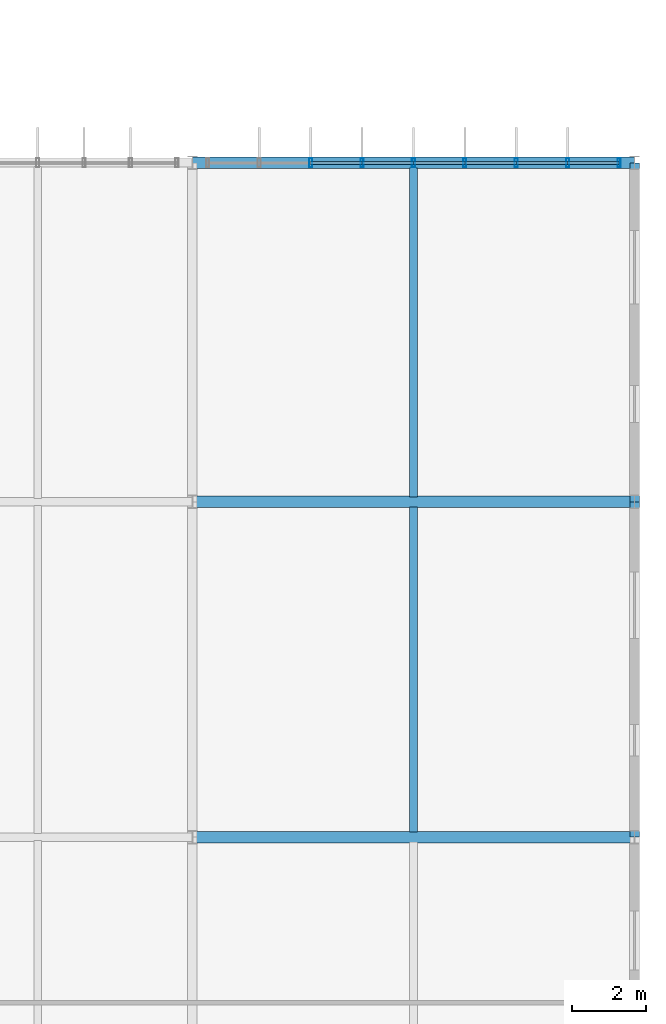
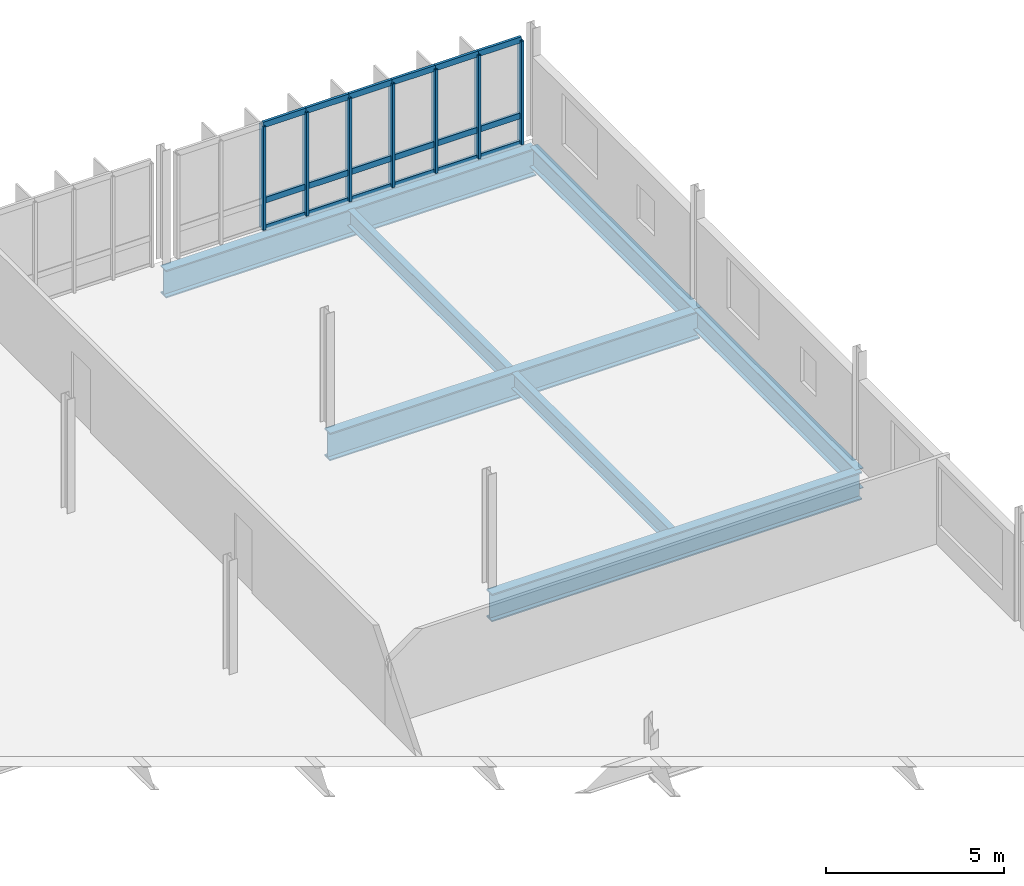
# One storey, part 38 of 61: 25 members, 7 beams, 1 element without a shape of its own.
"""IFC4 building model written with IfcOpenShell, lengths in metres."""

from ifc_helpers import new_model, si_unit, derived_unit, direction, frame, origin, origin_2d, place, context, subcontext, project, spatial, hollow_rectangle, i_section, extrude, material, layer, layer_set, material_profile, profile_set, type_object, element, aggregate, save


model = new_model("IFC4")

# Units and contexts
model_context = context("Model", 3, precision=1e-05, world=origin(), true_north=direction((0.0, 1.0)))
body_context = subcontext(model_context, "Body", "Model", "MODEL_VIEW")
ifc_project = project(units=[si_unit("LENGTHUNIT", "METRE"), si_unit("AREAUNIT", "SQUARE_METRE"), si_unit("VOLUMEUNIT", "CUBIC_METRE"), si_unit("PLANEANGLEUNIT", "RADIAN"), si_unit("MASSUNIT", "GRAM", prefix="KILO"), derived_unit("THERMALTRANSMITTANCEUNIT", [(si_unit("MASSUNIT", "GRAM", prefix="KILO"), 1), (si_unit("TIMEUNIT", "SECOND"), -3), (si_unit("THERMODYNAMICTEMPERATUREUNIT", "KELVIN"), -1)])], contexts=[model_context])

# Site, building, storey
site_placement = place(None, origin())
site = spatial("IfcSite", under=ifc_project, at=site_placement, CompositionType="ELEMENT")
building_placement = place(site_placement, origin())
building = spatial("IfcBuilding", under=site, at=building_placement, Name="Makaiwela Harbour Ferry Terminal", CompositionType="ELEMENT")
storey_placement = place(building_placement, frame((0.0, 0.0, 13.800048828125)))
storey = spatial("IfcBuildingStorey", under=building, at=storey_placement, Name="L03", CompositionType="ELEMENT", Elevation=13.800048828125)

# Curtain wall, members
ifc_material_1 = material(Name="Marine anodised aluminium 6063-T6", Category="aluminium")
ifc_layer = layer(ifc_material_1, 0.199951171875)
ifc_layer_set = layer_set([ifc_layer], Name="Marine anodised aluminium 6063-T6")
curtain_wall_type = type_object("IfcCurtainWallType", Name="ENV-CW-19", PredefinedType="USERDEFINED", material=ifc_layer_set)
curtain_wall_placement = place(storey_placement, origin())
curtain_wall = element("IfcCurtainWall", 1, at=curtain_wall_placement, inside=storey, type_object=curtain_wall_type, Name="Unitised Curtain Wall CWA-131", ObjectType="UNITIZED CURTAIN WALL", PredefinedType="USERDEFINED")
ifc_material_profile_1 = material_profile(ifc_material_1, hollow_rectangle(XDim=0.0849609375, YDim=0.25, WallThickness=0.0048828125, at=origin_2d()), Name="CWM-250X85")
ifc_profile_set_1 = profile_set([ifc_material_profile_1], Name="Marine anodised aluminium 6063-T6")
member_type_1 = type_object("IfcMemberType", Name="CW-MUL-250", PredefinedType="MULLION", material=ifc_profile_set_1)
member_1_placement = place(storey_placement, frame((158.610107421875, 95.0, 0.0), z_axis=(0.0, 0.0, 1.0), x_axis=(1.0, 0.0, 0.0)))
member_1 = element("IfcMember", 2, at=member_1_placement, type_object=member_type_1, Name="Curtain Wall Mullion CWA-131-3", PredefinedType="MULLION", context=body_context, shape_type="SweptSolid", body=[
    extrude(hollow_rectangle(XDim=0.0849609375, YDim=0.25, WallThickness=0.0048828125, at=origin_2d()), origin(), (0.0, 0.0, 1.0), 3.550048828125),
])
member_2_placement = place(storey_placement, frame((160.0048828125, 95.0, 0.0), z_axis=(0.0, 0.0, 1.0), x_axis=(1.0, 0.0, 0.0)))
member_2 = element("IfcMember", 3, at=member_2_placement, type_object=member_type_1, Name="Curtain Wall Mullion CWA-131-4", PredefinedType="MULLION", context=body_context, shape_type="SweptSolid", body=[
    extrude(hollow_rectangle(XDim=0.0849609375, YDim=0.25, WallThickness=0.0048828125, at=origin_2d()), origin(), (0.0, 0.0, 1.0), 3.550048828125),
])
member_3_placement = place(storey_placement, frame((161.39990234375, 95.0, 0.0), z_axis=(0.0, 0.0, 1.0), x_axis=(1.0, 0.0, 0.0)))
member_3 = element("IfcMember", 4, at=member_3_placement, type_object=member_type_1, Name="Curtain Wall Mullion CWA-131-5", PredefinedType="MULLION", context=body_context, shape_type="SweptSolid", body=[
    extrude(hollow_rectangle(XDim=0.0849609375, YDim=0.25, WallThickness=0.0048828125, at=origin_2d()), origin(), (0.0, 0.0, 1.0), 3.550048828125),
])
member_4_placement = place(storey_placement, frame((162.794921875, 95.0, 0.0), z_axis=(0.0, 0.0, 1.0), x_axis=(1.0, 0.0, 0.0)))
member_4 = element("IfcMember", 5, at=member_4_placement, type_object=member_type_1, Name="Curtain Wall Mullion CWA-131-6", PredefinedType="MULLION", context=body_context, shape_type="SweptSolid", body=[
    extrude(hollow_rectangle(XDim=0.0849609375, YDim=0.25, WallThickness=0.0048828125, at=origin_2d()), origin(), (0.0, 0.0, 1.0), 3.550048828125),
])
member_5_placement = place(storey_placement, frame((164.18994140625, 95.0, 0.0), z_axis=(0.0, 0.0, 1.0), x_axis=(1.0, 0.0, 0.0)))
member_5 = element("IfcMember", 6, at=member_5_placement, type_object=member_type_1, Name="Curtain Wall Mullion CWA-131-7", PredefinedType="MULLION", context=body_context, shape_type="SweptSolid", body=[
    extrude(hollow_rectangle(XDim=0.0849609375, YDim=0.25, WallThickness=0.0048828125, at=origin_2d()), origin(), (0.0, 0.0, 1.0), 3.550048828125),
])
member_6_placement = place(storey_placement, frame((165.5849609375, 95.0, 0.0), z_axis=(0.0, 0.0, 1.0), x_axis=(1.0, 0.0, 0.0)))
member_6 = element("IfcMember", 7, at=member_6_placement, type_object=member_type_1, Name="Curtain Wall Mullion CWA-131-8", PredefinedType="MULLION", context=body_context, shape_type="SweptSolid", body=[
    extrude(hollow_rectangle(XDim=0.0849609375, YDim=0.25, WallThickness=0.0048828125, at=origin_2d()), origin(), (0.0, 0.0, 1.0), 3.550048828125),
])
member_7_placement = place(storey_placement, frame((166.97998046875, 95.0, 0.0), z_axis=(0.0, 0.0, 1.0), x_axis=(1.0, 0.0, 0.0)))
member_7 = element("IfcMember", 8, at=member_7_placement, type_object=member_type_1, Name="Curtain Wall Mullion CWA-131-9", PredefinedType="MULLION", context=body_context, shape_type="SweptSolid", body=[
    extrude(hollow_rectangle(XDim=0.0849609375, YDim=0.25, WallThickness=0.0048828125, at=origin_2d()), origin(), (0.0, 0.0, 1.0), 3.550048828125),
])
ifc_material_profile_2 = material_profile(ifc_material_1, hollow_rectangle(XDim=0.0849609375, YDim=0.199951171875, WallThickness=0.0048828125, at=origin_2d()), Name="CWT-200X85")
ifc_profile_set_2 = profile_set([ifc_material_profile_2], Name="Marine anodised aluminium 6063-T6")
member_type_2 = type_object("IfcMemberType", Name="CW-TRN-200", PredefinedType="USERDEFINED", material=ifc_profile_set_2)
member_8_placement = place(storey_placement, frame((158.610107421875, 95.0, 0.0), z_axis=(1.0, 0.0, 0.0), x_axis=(0.0, 1.0, 0.0)))
member_8 = element("IfcMember", 9, at=member_8_placement, type_object=member_type_2, Name="Curtain Wall Transom CWA-131-3-1", ObjectType="TRANSOM", PredefinedType="USERDEFINED", context=body_context, shape_type="SweptSolid", body=[
    extrude(hollow_rectangle(XDim=0.0849609375, YDim=0.199951171875, WallThickness=0.0048828125, at=origin_2d()), origin(), (0.0, 0.0, 1.0), 1.394775390625),
])
member_9_placement = place(storey_placement, frame((158.610107421875, 95.0, 0.949951171875), z_axis=(1.0, 0.0, 0.0), x_axis=(0.0, 1.0, 0.0)))
member_9 = element("IfcMember", 10, at=member_9_placement, type_object=member_type_2, Name="Curtain Wall Transom CWA-131-3-2", ObjectType="TRANSOM", PredefinedType="USERDEFINED", context=body_context, shape_type="SweptSolid", body=[
    extrude(hollow_rectangle(XDim=0.0849609375, YDim=0.199951171875, WallThickness=0.0048828125, at=origin_2d()), origin(), (0.0, 0.0, 1.0), 1.394775390625),
])
member_10_placement = place(storey_placement, frame((158.610107421875, 95.0, 3.550048828125), z_axis=(1.0, 0.0, 0.0), x_axis=(0.0, 1.0, 0.0)))
member_10 = element("IfcMember", 11, at=member_10_placement, type_object=member_type_2, Name="Curtain Wall Transom CWA-131-3-3", ObjectType="TRANSOM", PredefinedType="USERDEFINED", context=body_context, shape_type="SweptSolid", body=[
    extrude(hollow_rectangle(XDim=0.0849609375, YDim=0.199951171875, WallThickness=0.0048828125, at=origin_2d()), origin(), (0.0, 0.0, 1.0), 1.394775390625),
])
member_11_placement = place(storey_placement, frame((160.0048828125, 95.0, 0.0), z_axis=(1.0, 0.0, 0.0), x_axis=(0.0, 1.0, 0.0)))
member_11 = element("IfcMember", 12, at=member_11_placement, type_object=member_type_2, Name="Curtain Wall Transom CWA-131-4-1", ObjectType="TRANSOM", PredefinedType="USERDEFINED", context=body_context, shape_type="SweptSolid", body=[
    extrude(hollow_rectangle(XDim=0.0849609375, YDim=0.199951171875, WallThickness=0.0048828125, at=origin_2d()), origin(), (0.0, 0.0, 1.0), 1.39501953125),
])
member_12_placement = place(storey_placement, frame((160.0048828125, 95.0, 0.949951171875), z_axis=(1.0, 0.0, 0.0), x_axis=(0.0, 1.0, 0.0)))
member_12 = element("IfcMember", 13, at=member_12_placement, type_object=member_type_2, Name="Curtain Wall Transom CWA-131-4-2", ObjectType="TRANSOM", PredefinedType="USERDEFINED", context=body_context, shape_type="SweptSolid", body=[
    extrude(hollow_rectangle(XDim=0.0849609375, YDim=0.199951171875, WallThickness=0.0048828125, at=origin_2d()), origin(), (0.0, 0.0, 1.0), 1.39501953125),
])
member_13_placement = place(storey_placement, frame((160.0048828125, 95.0, 3.550048828125), z_axis=(1.0, 0.0, 0.0), x_axis=(0.0, 1.0, 0.0)))
member_13 = element("IfcMember", 14, at=member_13_placement, type_object=member_type_2, Name="Curtain Wall Transom CWA-131-4-3", ObjectType="TRANSOM", PredefinedType="USERDEFINED", context=body_context, shape_type="SweptSolid", body=[
    extrude(hollow_rectangle(XDim=0.0849609375, YDim=0.199951171875, WallThickness=0.0048828125, at=origin_2d()), origin(), (0.0, 0.0, 1.0), 1.39501953125),
])
member_14_placement = place(storey_placement, frame((161.39990234375, 95.0, 0.0), z_axis=(1.0, 0.0, 0.0), x_axis=(0.0, 1.0, 0.0)))
member_14 = element("IfcMember", 15, at=member_14_placement, type_object=member_type_2, Name="Curtain Wall Transom CWA-131-5-1", ObjectType="TRANSOM", PredefinedType="USERDEFINED", context=body_context, shape_type="SweptSolid", body=[
    extrude(hollow_rectangle(XDim=0.0849609375, YDim=0.199951171875, WallThickness=0.0048828125, at=origin_2d()), origin(), (0.0, 0.0, 1.0), 1.39501953125),
])
member_15_placement = place(storey_placement, frame((161.39990234375, 95.0, 0.949951171875), z_axis=(1.0, 0.0, 0.0), x_axis=(0.0, 1.0, 0.0)))
member_15 = element("IfcMember", 16, at=member_15_placement, type_object=member_type_2, Name="Curtain Wall Transom CWA-131-5-2", ObjectType="TRANSOM", PredefinedType="USERDEFINED", context=body_context, shape_type="SweptSolid", body=[
    extrude(hollow_rectangle(XDim=0.0849609375, YDim=0.199951171875, WallThickness=0.0048828125, at=origin_2d()), origin(), (0.0, 0.0, 1.0), 1.39501953125),
])
member_16_placement = place(storey_placement, frame((161.39990234375, 95.0, 3.550048828125), z_axis=(1.0, 0.0, 0.0), x_axis=(0.0, 1.0, 0.0)))
member_16 = element("IfcMember", 17, at=member_16_placement, type_object=member_type_2, Name="Curtain Wall Transom CWA-131-5-3", ObjectType="TRANSOM", PredefinedType="USERDEFINED", context=body_context, shape_type="SweptSolid", body=[
    extrude(hollow_rectangle(XDim=0.0849609375, YDim=0.199951171875, WallThickness=0.0048828125, at=origin_2d()), origin(), (0.0, 0.0, 1.0), 1.39501953125),
])
member_17_placement = place(storey_placement, frame((162.794921875, 95.0, 0.0), z_axis=(1.0, 0.0, 0.0), x_axis=(0.0, 1.0, 0.0)))
member_17 = element("IfcMember", 18, at=member_17_placement, type_object=member_type_2, Name="Curtain Wall Transom CWA-131-6-1", ObjectType="TRANSOM", PredefinedType="USERDEFINED", context=body_context, shape_type="SweptSolid", body=[
    extrude(hollow_rectangle(XDim=0.0849609375, YDim=0.199951171875, WallThickness=0.0048828125, at=origin_2d()), origin(), (0.0, 0.0, 1.0), 1.39501953125),
])
member_18_placement = place(storey_placement, frame((162.794921875, 95.0, 0.949951171875), z_axis=(1.0, 0.0, 0.0), x_axis=(0.0, 1.0, 0.0)))
member_18 = element("IfcMember", 19, at=member_18_placement, type_object=member_type_2, Name="Curtain Wall Transom CWA-131-6-2", ObjectType="TRANSOM", PredefinedType="USERDEFINED", context=body_context, shape_type="SweptSolid", body=[
    extrude(hollow_rectangle(XDim=0.0849609375, YDim=0.199951171875, WallThickness=0.0048828125, at=origin_2d()), origin(), (0.0, 0.0, 1.0), 1.39501953125),
])
member_19_placement = place(storey_placement, frame((162.794921875, 95.0, 3.550048828125), z_axis=(1.0, 0.0, 0.0), x_axis=(0.0, 1.0, 0.0)))
member_19 = element("IfcMember", 20, at=member_19_placement, type_object=member_type_2, Name="Curtain Wall Transom CWA-131-6-3", ObjectType="TRANSOM", PredefinedType="USERDEFINED", context=body_context, shape_type="SweptSolid", body=[
    extrude(hollow_rectangle(XDim=0.0849609375, YDim=0.199951171875, WallThickness=0.0048828125, at=origin_2d()), origin(), (0.0, 0.0, 1.0), 1.39501953125),
])
member_20_placement = place(storey_placement, frame((164.18994140625, 95.0, 0.0), z_axis=(1.0, 0.0, 0.0), x_axis=(0.0, 1.0, 0.0)))
member_20 = element("IfcMember", 21, at=member_20_placement, type_object=member_type_2, Name="Curtain Wall Transom CWA-131-7-1", ObjectType="TRANSOM", PredefinedType="USERDEFINED", context=body_context, shape_type="SweptSolid", body=[
    extrude(hollow_rectangle(XDim=0.0849609375, YDim=0.199951171875, WallThickness=0.0048828125, at=origin_2d()), origin(), (0.0, 0.0, 1.0), 1.39501953125),
])
member_21_placement = place(storey_placement, frame((164.18994140625, 95.0, 0.949951171875), z_axis=(1.0, 0.0, 0.0), x_axis=(0.0, 1.0, 0.0)))
member_21 = element("IfcMember", 22, at=member_21_placement, type_object=member_type_2, Name="Curtain Wall Transom CWA-131-7-2", ObjectType="TRANSOM", PredefinedType="USERDEFINED", context=body_context, shape_type="SweptSolid", body=[
    extrude(hollow_rectangle(XDim=0.0849609375, YDim=0.199951171875, WallThickness=0.0048828125, at=origin_2d()), origin(), (0.0, 0.0, 1.0), 1.39501953125),
])
member_22_placement = place(storey_placement, frame((164.18994140625, 95.0, 3.550048828125), z_axis=(1.0, 0.0, 0.0), x_axis=(0.0, 1.0, 0.0)))
member_22 = element("IfcMember", 23, at=member_22_placement, type_object=member_type_2, Name="Curtain Wall Transom CWA-131-7-3", ObjectType="TRANSOM", PredefinedType="USERDEFINED", context=body_context, shape_type="SweptSolid", body=[
    extrude(hollow_rectangle(XDim=0.0849609375, YDim=0.199951171875, WallThickness=0.0048828125, at=origin_2d()), origin(), (0.0, 0.0, 1.0), 1.39501953125),
])
member_23_placement = place(storey_placement, frame((165.5849609375, 95.0, 0.0), z_axis=(1.0, 0.0, 0.0), x_axis=(0.0, 1.0, 0.0)))
member_23 = element("IfcMember", 24, at=member_23_placement, type_object=member_type_2, Name="Curtain Wall Transom CWA-131-8-1", ObjectType="TRANSOM", PredefinedType="USERDEFINED", context=body_context, shape_type="SweptSolid", body=[
    extrude(hollow_rectangle(XDim=0.0849609375, YDim=0.199951171875, WallThickness=0.0048828125, at=origin_2d()), origin(), (0.0, 0.0, 1.0), 1.39501953125),
])
member_24_placement = place(storey_placement, frame((165.5849609375, 95.0, 0.949951171875), z_axis=(1.0, 0.0, 0.0), x_axis=(0.0, 1.0, 0.0)))
member_24 = element("IfcMember", 25, at=member_24_placement, type_object=member_type_2, Name="Curtain Wall Transom CWA-131-8-2", ObjectType="TRANSOM", PredefinedType="USERDEFINED", context=body_context, shape_type="SweptSolid", body=[
    extrude(hollow_rectangle(XDim=0.0849609375, YDim=0.199951171875, WallThickness=0.0048828125, at=origin_2d()), origin(), (0.0, 0.0, 1.0), 1.39501953125),
])
member_25_placement = place(storey_placement, frame((165.5849609375, 95.0, 3.550048828125), z_axis=(1.0, 0.0, 0.0), x_axis=(0.0, 1.0, 0.0)))
member_25 = element("IfcMember", 26, at=member_25_placement, type_object=member_type_2, Name="Curtain Wall Transom CWA-131-8-3", ObjectType="TRANSOM", PredefinedType="USERDEFINED", context=body_context, shape_type="SweptSolid", body=[
    extrude(hollow_rectangle(XDim=0.0849609375, YDim=0.199951171875, WallThickness=0.0048828125, at=origin_2d()), origin(), (0.0, 0.0, 1.0), 1.39501953125),
])
aggregate(curtain_wall, [member_1, member_2, member_3, member_4, member_5, member_6, member_7, member_8, member_9, member_10, member_11, member_12, member_13, member_14, member_15, member_16, member_17, member_18, member_19, member_20, member_21, member_22, member_23, member_24, member_25])

# Beams
ifc_material_2 = material(Name="Steel ASTM A992 Grade 50", Category="steel")
ifc_material_profile_3 = material_profile(ifc_material_2, i_section(OverallWidth=0.2099609375, OverallDepth=0.537109375, WebThickness=0.010986328125, FlangeThickness=0.017333984375, at=origin_2d()), Name="W21X68")
ifc_profile_set_3 = profile_set([ifc_material_profile_3], Name="Steel ASTM A992 Grade 50")
beam_type_1 = type_object("IfcBeamType", Name="STR-BM-W21X68", PredefinedType="BEAM", material=ifc_profile_set_3)
beam_1_placement = place(storey_placement, frame((161.39990234375, 76.8369140625, -0.508544921875), z_axis=(0.0, 1.0, 0.0), x_axis=(-1.0, 0.0, 0.0)))
element("IfcBeam", 27, at=beam_1_placement, inside=storey, type_object=beam_type_1, Name="Secondary floor beam 1662", PredefinedType="BEAM", context=body_context, shape_type="SweptSolid", body=[
    extrude(i_section(OverallWidth=0.2099609375, OverallDepth=0.537109375, WebThickness=0.010986328125, FlangeThickness=0.017333984375, at=origin_2d()), origin(), (0.0, 0.0, 1.0), 8.826171875),
])
beam_2_placement = place(storey_placement, frame((161.39990234375, 85.93701171875, -0.508544921875), z_axis=(0.0, 1.0, 0.0), x_axis=(-1.0, 0.0, 0.0)))
element("IfcBeam", 28, at=beam_2_placement, inside=storey, type_object=beam_type_1, Name="Secondary floor beam 1663", PredefinedType="BEAM", context=body_context, shape_type="SweptSolid", body=[
    extrude(i_section(OverallWidth=0.2099609375, OverallDepth=0.537109375, WebThickness=0.010986328125, FlangeThickness=0.017333984375, at=origin_2d()), origin(), (0.0, 0.0, 1.0), 8.926025390625),
])
ifc_material_profile_4 = material_profile(ifc_material_2, i_section(OverallWidth=0.256103515625, OverallDepth=0.693115234375, WebThickness=0.014404296875, FlangeThickness=0.023681640625, at=origin_2d()), Name="W27X114")
ifc_profile_set_4 = profile_set([ifc_material_profile_4], Name="Steel ASTM A992 Grade 50")
beam_type_2 = type_object("IfcBeamType", Name="STR-GRD-W27X114", PredefinedType="USERDEFINED", material=ifc_profile_set_4)
beam_3_placement = place(storey_placement, frame((167.39990234375, 76.699951171875, -0.586669921875), z_axis=(0.0, 1.0, 0.0), x_axis=(-1.0, 0.0, 0.0)))
element("IfcBeam", 29, at=beam_3_placement, inside=storey, type_object=beam_type_2, Name="Primary Y girder 1631", ObjectType="GIRDER", PredefinedType="USERDEFINED", context=body_context, shape_type="SweptSolid", body=[
    extrude(i_section(OverallWidth=0.256103515625, OverallDepth=0.693115234375, WebThickness=0.014404296875, FlangeThickness=0.023681640625, at=origin_2d()), origin(), (0.0, 0.0, 1.0), 9.10009765625),
])
beam_4_placement = place(storey_placement, frame((167.39990234375, 85.800048828125, -0.586669921875), z_axis=(0.0, 1.0, 0.0), x_axis=(-1.0, 0.0, 0.0)))
element("IfcBeam", 30, at=beam_4_placement, inside=storey, type_object=beam_type_2, Name="Primary Y girder 1632", ObjectType="GIRDER", PredefinedType="USERDEFINED", context=body_context, shape_type="SweptSolid", body=[
    extrude(i_section(OverallWidth=0.256103515625, OverallDepth=0.693115234375, WebThickness=0.014404296875, FlangeThickness=0.023681640625, at=origin_2d()), origin(), (0.0, 0.0, 1.0), 9.199951171875),
])
ifc_material_profile_5 = material_profile(ifc_material_2, i_section(OverallWidth=0.31005859375, OverallDepth=0.949951171875, WebThickness=0.0244140625, FlangeThickness=0.0439453125, at=origin_2d()), Name="W36X256")
ifc_profile_set_5 = profile_set([ifc_material_profile_5], Name="Steel ASTM A992 Grade 50")
beam_type_3 = type_object("IfcBeamType", Name="STR-GRD-W36X256", PredefinedType="USERDEFINED", material=ifc_profile_set_5)
for number, where, z_axis, x_axis, name in (
    (31, (155.39990234375, 76.699951171875, -0.715087890625), (1.0, 0.0, 0.0), (0.0, 1.0, 0.0), "Primary X girder 1591"),
    (32, (155.39990234375, 85.800048828125, -0.715087890625), (1.0, 0.0, 0.0), (0.0, 1.0, 0.0), "Primary X girder 1594"),
    (33, (155.39990234375, 95.0, -0.715087890625), (1.0, 0.0, 0.0), (0.0, 1.0, 0.0), "Primary X girder 1597"),
):
    element("IfcBeam", number, at=place(storey_placement, frame(where, z_axis=z_axis, x_axis=x_axis)), inside=storey, type_object=beam_type_3, Name=name, ObjectType="GIRDER", PredefinedType="USERDEFINED", context=body_context, shape_type="SweptSolid", body=[
        extrude(i_section(OverallWidth=0.31005859375, OverallDepth=0.949951171875, WebThickness=0.0244140625, FlangeThickness=0.0439453125, at=origin_2d()), origin(), (0.0, 0.0, 1.0), 12.0),
    ])

save(model, "model.ifc")
